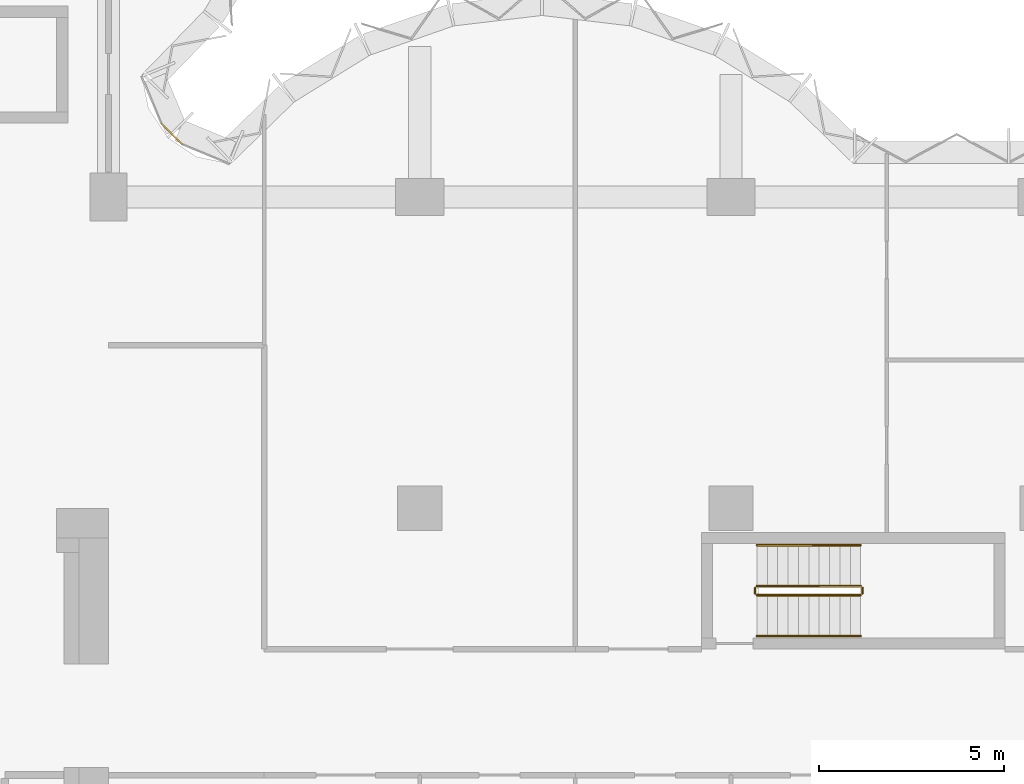
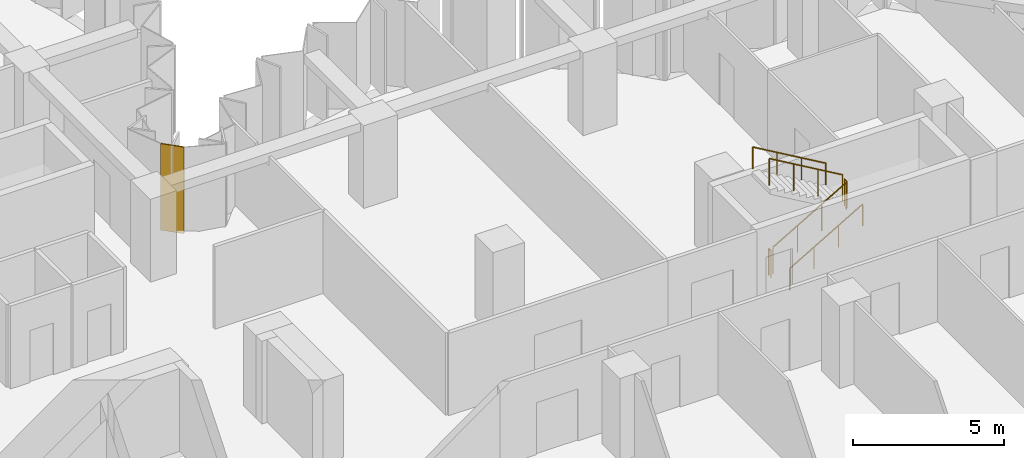
# One storey, part 11 of 11: 6 railings, 1 covering, 1 element without a shape of its own.
"""IFC4 building model written with IfcOpenShell, lengths in metres."""

import ifcopenshell
import ifcopenshell.guid

model = None  # the IFC model being written
_history = None  # IfcOwnerHistory: only IFC2X3 demands one
_inside = {}  # id of a spatial element -> (the spatial element, [elements in it])
_under = {}  # id of a project, library or spatial element -> (it, [spatial elements below it])
_declared = {}  # id of a project -> (the project, [libraries it declares])
_typed = {}  # id of a type object -> (the type object, [elements of that type])
_made_of = {}  # id of a material, layer set ... -> (it, [elements and type objects made of it])


def new_model(schema):
    """Start an empty IFC model of exactly this schema.

    Asked for "IFC4X3", IfcOpenShell would pick the latest addendum, in which some entities
    have other attributes; the version numbers below select the first issue.
    IFC2X3 requires an IfcOwnerHistory on every rooted entity: one is made here for all.
    """
    global model, _history
    if schema == "IFC4X3":
        model = ifcopenshell.file(schema_version=(4, 3, 0, 0))
    else:
        model = ifcopenshell.file(schema=schema)
    _inside.clear()
    _under.clear()
    _declared.clear()
    _typed.clear()
    _made_of.clear()
    _history = None
    if model.schema == "IFC2X3":
        org = make("IfcOrganization", Name="unknown")
        user = make(
            "IfcPersonAndOrganization",
            ThePerson=make("IfcPerson", FamilyName="unknown"),
            TheOrganization=org,
        )
        app = make(
            "IfcApplication",
            ApplicationDeveloper=org,
            Version="unknown",
            ApplicationFullName="unknown",
            ApplicationIdentifier="unknown",
        )
        _history = make(
            "IfcOwnerHistory",
            OwningUser=user,
            OwningApplication=app,
            ChangeAction="ADDED",
            CreationDate=0,
        )
    return model


def make(cls, **values):
    """One entity of the class cls with the attributes given. An attribute that is None is left unset."""
    return model.create_entity(
        cls, **{name: value for name, value in values.items() if value is not None}
    )


def rooted(cls, **values):
    """An entity with a GlobalId (a new one), such as an element, a storey or a relation."""
    return make(cls, GlobalId=ifcopenshell.guid.new(), OwnerHistory=_history, **values)


def si_unit(unit_type, name, prefix=None):
    """IfcSIUnit, for example si_unit("LENGTHUNIT", "METRE", prefix="MILLI")."""
    return make("IfcSIUnit", UnitType=unit_type, Prefix=prefix, Name=name)


def assignment(units):
    """IfcUnitAssignment: the units of a project."""
    return None if units is None else make("IfcUnitAssignment", Units=units)


def point(xyz):
    """IfcCartesianPoint."""
    return None if xyz is None else make("IfcCartesianPoint", Coordinates=xyz)


def direction(xyz):
    """IfcDirection."""
    return None if xyz is None else make("IfcDirection", DirectionRatios=xyz)


def frame(location, z_axis=None, x_axis=None):
    """IfcAxis2Placement3D, a coordinate frame: its origin and axes. An axis left out is left unset."""
    return make(
        "IfcAxis2Placement3D",
        Location=point(location),
        Axis=direction(z_axis),
        RefDirection=direction(x_axis),
    )


def frame_2d(location, x_axis=None):
    """IfcAxis2Placement2D, a coordinate frame in the plane: its origin and x axis."""
    return make(
        "IfcAxis2Placement2D", Location=point(location), RefDirection=direction(x_axis)
    )


def origin():
    """The frame at (0, 0, 0) with its axes left unset."""
    return frame((0.0, 0.0, 0.0))


def origin_2d():
    """The frame at (0, 0) in the plane with its x axis left unset."""
    return frame_2d((0.0, 0.0))


def place(relative_to, where):
    """IfcLocalPlacement: puts the frame where relative to a parent placement (None: the world)."""
    return make(
        "IfcLocalPlacement", PlacementRelTo=relative_to, RelativePlacement=where
    )


def context(
    kind, dimensions, precision=None, world=None, true_north=None, identifier=None
):
    """IfcGeometricRepresentationContext, for example the 3D "Model" context."""
    return make(
        "IfcGeometricRepresentationContext",
        ContextIdentifier=identifier,
        ContextType=kind,
        CoordinateSpaceDimension=dimensions,
        Precision=precision,
        WorldCoordinateSystem=world,
        TrueNorth=true_north,
    )


def subcontext(parent, identifier, kind, view, scale=None):
    """IfcGeometricRepresentationSubContext, for example "Body" below "Model"."""
    return make(
        "IfcGeometricRepresentationSubContext",
        ContextIdentifier=identifier,
        ContextType=kind,
        ParentContext=parent,
        TargetScale=scale,
        TargetView=view,
    )


def project(units=None, contexts=None):
    """IfcProject with its units and contexts."""
    return rooted(
        "IfcProject",
        Name="project",
        RepresentationContexts=contexts,
        UnitsInContext=assignment(units),
    )


def spatial(cls, under=None, at=None, **own):
    """A site, building, storey or space (cls), placed at a placement, below another one or the project."""
    s = rooted(cls, ObjectPlacement=at, **own)
    if under is not None:
        _under.setdefault(under.id(), (under, []))[1].append(s)
    return s


def polyline(points):
    """IfcPolyline through the points."""
    return make("IfcPolyline", Points=[point(p) for p in points])


def profile(cls, at=None, kind="AREA", **sizes):
    """A parametric profile (cls). Its sizes go by their IFC names, for example OverallWidth=200.0."""
    return make(cls, ProfileType=kind, Position=at, **sizes)


def circle(**sizes):
    """IfcCircleProfileDef."""
    return profile("IfcCircleProfileDef", **sizes)


def outline(outer, holes=None, kind="AREA"):
    """IfcArbitraryClosedProfileDef: a profile drawn as a closed curve; with holes, ...WithVoids."""
    if holes is None:
        return make("IfcArbitraryClosedProfileDef", ProfileType=kind, OuterCurve=outer)
    return make(
        "IfcArbitraryProfileDefWithVoids",
        ProfileType=kind,
        OuterCurve=outer,
        InnerCurves=holes,
    )


def extrude(swept, where, along, depth):
    """IfcExtrudedAreaSolid: the profile swept, set in the frame where, extruded along a direction by depth."""
    return make(
        "IfcExtrudedAreaSolid",
        SweptArea=swept,
        Position=where,
        ExtrudedDirection=direction(along),
        Depth=depth,
    )


def shape(context_of_items, identifier, shape_type, items):
    """IfcShapeRepresentation: the items that make up one representation, for example the "Body"."""
    return make(
        "IfcShapeRepresentation",
        ContextOfItems=context_of_items,
        RepresentationIdentifier=identifier,
        RepresentationType=shape_type,
        Items=items,
    )


def material(Name=None, Category=None):
    """IfcMaterial."""
    return make("IfcMaterial", Name=Name, Category=Category)


def layer(
    of_material, thickness, ventilated=None, Name=None, Category=None, Priority=None
):
    """IfcMaterialLayer: one layer of a wall or slab, of a material (None: an air gap)."""
    return make(
        "IfcMaterialLayer",
        Material=of_material,
        LayerThickness=thickness,
        IsVentilated=ventilated,
        Name=Name,
        Category=Category,
        Priority=Priority,
    )


def layer_set(layers, Name=None):
    """IfcMaterialLayerSet."""
    return make("IfcMaterialLayerSet", MaterialLayers=layers, LayerSetName=Name)


def made_of(thing, what):
    """Note that an element or type object is made of a material, layer set ...; save() writes the relation."""
    if what is not None:
        _made_of.setdefault(what.id(), (what, []))[1].append(thing)
    return thing


def type_object(cls, material=None, **own):
    """A type object (cls), such as IfcWallType, which elements share."""
    return made_of(rooted(cls, **own), material)


def element(
    cls,
    number,
    at=None,
    inside=None,
    cuts=None,
    type_object=None,
    material=None,
    context=None,
    identifier="Body",
    shape_type=None,
    held_by="IfcProductDefinitionShape",
    body=None,
    shapes=None,
    **own,
):
    """One element of the class cls, such as IfcWall. Its Tag is "e" and its number.

    at: its placement. inside: the storey or other place that contains it. cuts: it is an
    opening in that element (IfcRelVoidsElement). A single representation is given by context,
    identifier, shape_type and body (its items); several are given by shapes. held_by: the class
    of the entity that holds the representations. save() writes the other relations.
    """
    e = rooted(cls, Tag="e%d" % number, ObjectPlacement=at, **own)
    if body is not None:
        shapes = [shape(context, identifier, shape_type, body)]
    if shapes is not None:
        e.Representation = make(held_by, Representations=shapes)
    if inside is not None:
        _inside.setdefault(inside.id(), (inside, []))[1].append(e)
    if cuts is not None:
        rooted(
            "IfcRelVoidsElement", RelatingBuildingElement=cuts, RelatedOpeningElement=e
        )
    if type_object is not None:
        _typed.setdefault(type_object.id(), (type_object, []))[1].append(e)
    return made_of(e, material)


def aggregate(whole, parts):
    """IfcRelAggregates: a whole, such as a stair, and the parts it consists of."""
    return rooted("IfcRelAggregates", RelatingObject=whole, RelatedObjects=parts)


def save(model, path):
    """Write the relations noted so far, then the file.

    IfcRelAggregates (storeys below a building ...), IfcRelContainedInSpatialStructure (elements
    in a storey), IfcRelDefinesByType, IfcRelAssociatesMaterial and IfcRelDeclares: one each for
    every whole, place, type object, material and project.
    """
    for whole, parts in _under.values():
        aggregate(whole, parts)
    for where, things in _inside.values():
        rooted(
            "IfcRelContainedInSpatialStructure",
            RelatedElements=things,
            RelatingStructure=where,
        )
    for kind, things in _typed.values():
        rooted("IfcRelDefinesByType", RelatedObjects=things, RelatingType=kind)
    for what, things in _made_of.values():
        rooted("IfcRelAssociatesMaterial", RelatedObjects=things, RelatingMaterial=what)
    for by, libraries in _declared.values():
        rooted("IfcRelDeclares", RelatingContext=by, RelatedDefinitions=libraries)
    model.write(path)


model = new_model("IFC4")

# Units and contexts
model_context = context("Model", 3, precision=1e-05, world=origin(), true_north=direction((0.0, 1.0)))
body_context = subcontext(model_context, "Body", "Model", "MODEL_VIEW")
ifc_project = project(units=[si_unit("LENGTHUNIT", "METRE"), si_unit("AREAUNIT", "SQUARE_METRE"), si_unit("VOLUMEUNIT", "CUBIC_METRE"), si_unit("PLANEANGLEUNIT", "RADIAN"), si_unit("MASSUNIT", "GRAM", prefix="KILO")], contexts=[model_context])

# Site, building, storey
site_placement = place(None, origin())
site = spatial("IfcSite", under=ifc_project, at=site_placement, CompositionType="ELEMENT")
building_placement = place(site_placement, origin())
building = spatial("IfcBuilding", under=site, at=building_placement, Name="Brevane Broadcast Tower", CompositionType="ELEMENT")
storey_placement = place(building_placement, frame((0.0, 0.0, 145.699951171875)))
storey = spatial("IfcBuildingStorey", under=building, at=storey_placement, Name="L36", CompositionType="ELEMENT", Elevation=145.699951171875)

# Railings
ifc_material_1 = material(Name="Steel S355", Category="steel")
railing_type_1 = type_object("IfcRailingType", Name="Exit stair guard", PredefinedType="GUARDRAIL", material=ifc_material_1)
railing_1_placement = place(storey_placement, frame((42.699951171875, 14.449951171875, 0.16357421875)))
element("IfcRailing", 1, at=railing_1_placement, inside=storey, type_object=railing_type_1, Name="L36 ST-4 stair guard 1", PredefinedType="GUARDRAIL", context=body_context, shape_type="SweptSolid", body=[
    extrude(circle(Radius=0.02392578125, at=origin_2d()), frame((0.0, 0.0, 1.076171875), z_axis=(0.863360870873, 0.0, 0.504586966384), x_axis=(0.0, 1.0, 0.0)), (0.0, 0.0, 1.0), 3.2431640625),
    extrude(circle(Radius=0.02099609375, at=origin_2d()), origin(), (0.0, 0.0, 1.0), 1.052001953125),
    extrude(circle(Radius=0.02099609375, at=origin_2d()), frame((0.933349609375, 0.0, 0.54541015625)), (0.0, 0.0, 1.0), 1.052001953125),
    extrude(circle(Radius=0.02099609375, at=origin_2d()), frame((1.86669921875, 0.0, 1.091064453125)), (0.0, 0.0, 1.0), 1.052001953125),
    extrude(circle(Radius=0.02099609375, at=origin_2d()), frame((2.800048828125, 0.0, 1.636474609375)), (0.0, 0.0, 1.0), 1.052001953125),
])
railing_2_placement = place(storey_placement, frame((45.550048828125, 14.5, 1.800048828125)))
element("IfcRailing", 2, at=railing_2_placement, inside=storey, type_object=railing_type_1, Name="L36 ST-4 stair guard 2", PredefinedType="GUARDRAIL", context=body_context, shape_type="SweptSolid", body=[
    extrude(circle(Radius=0.02392578125, at=origin_2d()), frame((0.0, 0.0, 1.076171875), z_axis=(0.0, 1.0, 0.0), x_axis=(-1.0, 0.0, 0.0)), (0.0, 0.0, 1.0), 0.14990234375),
    extrude(circle(Radius=0.02099609375, at=origin_2d()), origin(), (0.0, 0.0, 1.0), 1.052001953125),
    extrude(circle(Radius=0.02099609375, at=origin_2d()), frame((0.0, 0.14990234375, 0.0)), (0.0, 0.0, 1.0), 1.052001953125),
])
railing_3_placement = place(storey_placement, frame((45.5, 14.699951171875, 1.963623046875)))
element("IfcRailing", 3, at=railing_3_placement, inside=storey, type_object=railing_type_1, Name="L36 ST-4 stair guard 3", PredefinedType="GUARDRAIL", context=body_context, shape_type="SweptSolid", body=[
    extrude(circle(Radius=0.02392578125, at=origin_2d()), frame((0.0, 0.0, 1.076171875), z_axis=(-0.863360870873, 0.0, 0.504586966384), x_axis=(0.0, -1.0, 0.0)), (0.0, 0.0, 1.0), 3.2431640625),
    extrude(circle(Radius=0.02099609375, at=origin_2d()), origin(), (0.0, 0.0, 1.0), 1.052001953125),
    extrude(circle(Radius=0.02099609375, at=origin_2d()), frame((-0.933349609375, 0.0, 0.54541015625)), (0.0, 0.0, 1.0), 1.052001953125),
    extrude(circle(Radius=0.02099609375, at=origin_2d()), frame((-1.86669921875, 0.0, 1.091064453125)), (0.0, 0.0, 1.0), 1.052001953125),
    extrude(circle(Radius=0.02099609375, at=origin_2d()), frame((-2.800048828125, 0.0, 1.636474609375)), (0.0, 0.0, 1.0), 1.052001953125),
])
railing_4_placement = place(storey_placement, frame((42.64990234375, 14.5, 0.0)))
element("IfcRailing", 4, at=railing_4_placement, inside=storey, type_object=railing_type_1, Name="L36 ST-4 stair guard 4", PredefinedType="GUARDRAIL", context=body_context, shape_type="SweptSolid", body=[
    extrude(circle(Radius=0.02392578125, at=origin_2d()), frame((0.0, 0.0, 1.076171875), z_axis=(0.0, 1.0, 0.0), x_axis=(-1.0, 0.0, 0.0)), (0.0, 0.0, 1.0), 0.14990234375),
    extrude(circle(Radius=0.02099609375, at=origin_2d()), origin(), (0.0, 0.0, 1.0), 1.052001953125),
    extrude(circle(Radius=0.02099609375, at=origin_2d()), frame((0.0, 0.14990234375, 0.0)), (0.0, 0.0, 1.0), 1.052001953125),
])
railing_type_2 = type_object("IfcRailingType", Name="Exit stair handrail", PredefinedType="HANDRAIL", material=ifc_material_1)
railing_5_placement = place(storey_placement, frame((42.699951171875, 13.35009765625, 0.16357421875)))
element("IfcRailing", 5, at=railing_5_placement, inside=storey, type_object=railing_type_2, Name="L36 ST-4 stair handrail 1", PredefinedType="HANDRAIL", context=body_context, shape_type="SweptSolid", body=[
    extrude(circle(Radius=0.02392578125, at=origin_2d()), frame((0.0, 0.0, 0.8759765625), z_axis=(0.863360870873, 0.0, 0.504586966384), x_axis=(0.0, 1.0, 0.0)), (0.0, 0.0, 1.0), 3.2431640625),
    extrude(circle(Radius=0.02099609375, at=origin_2d()), origin(), (0.0, 0.0, 1.0), 0.851806640625),
    extrude(circle(Radius=0.02099609375, at=origin_2d()), frame((0.933349609375, 0.0, 0.54541015625)), (0.0, 0.0, 1.0), 0.851806640625),
    extrude(circle(Radius=0.02099609375, at=origin_2d()), frame((1.86669921875, 0.0, 1.091064453125)), (0.0, 0.0, 1.0), 0.851806640625),
    extrude(circle(Radius=0.02099609375, at=origin_2d()), frame((2.800048828125, 0.0, 1.636474609375)), (0.0, 0.0, 1.0), 0.851806640625),
])
railing_6_placement = place(storey_placement, frame((45.5, 15.800048828125, 1.963623046875)))
element("IfcRailing", 6, at=railing_6_placement, inside=storey, type_object=railing_type_2, Name="L36 ST-4 stair handrail 2", PredefinedType="HANDRAIL", context=body_context, shape_type="SweptSolid", body=[
    extrude(circle(Radius=0.02392578125, at=origin_2d()), frame((0.0, 0.0, 0.8759765625), z_axis=(-0.863360870873, 0.0, 0.504586966384), x_axis=(0.0, -1.0, 0.0)), (0.0, 0.0, 1.0), 3.2431640625),
    extrude(circle(Radius=0.02099609375, at=origin_2d()), origin(), (0.0, 0.0, 1.0), 0.851806640625),
    extrude(circle(Radius=0.02099609375, at=origin_2d()), frame((-0.933349609375, 0.0, 0.54541015625)), (0.0, 0.0, 1.0), 0.851806640625),
    extrude(circle(Radius=0.02099609375, at=origin_2d()), frame((-1.86669921875, 0.0, 1.091064453125)), (0.0, 0.0, 1.0), 0.851806640625),
    extrude(circle(Radius=0.02099609375, at=origin_2d()), frame((-2.800048828125, 0.0, 1.636474609375)), (0.0, 0.0, 1.0), 0.851806640625),
])

# Curtain wall, covering
ifc_material_2 = material(Name="Aluminium 6063-T6 bronze anodised", Category="aluminium")
curtain_wall_type = type_object("IfcCurtainWallType", Name="CW-1 curtain wall", PredefinedType="NOTDEFINED", material=ifc_material_2)
curtain_wall_placement = place(storey_placement, origin())
curtain_wall = element("IfcCurtainWall", 7, at=curtain_wall_placement, inside=storey, type_object=curtain_wall_type, Name="CW-1 typical tilted unit L36 inner corner", PredefinedType="NOTDEFINED")
ifc_material_3 = material(Name="Back-painted bronze glass shadow-box", Category="glass")
ifc_layer = layer(ifc_material_3, 0.0400390625)
ifc_layer_set = layer_set([ifc_layer], Name="Shadow-box panel 40")
covering_type = type_object("IfcCoveringType", Name="Shadow-box panel 40", PredefinedType="CLADDING", material=ifc_layer_set)
covering_placement = place(storey_placement, frame((0.0, 0.0, -0.14990234375)))
covering = element("IfcCovering", 8, at=covering_placement, type_object=covering_type, Name="Closure panel", PredefinedType="CLADDING", context=body_context, shape_type="SweptSolid", body=[
    extrude(outline(polyline([(27.17138671875, 26.60498046875), (27.2021484375, 26.635498046875), (26.635498046875, 27.2021484375), (26.60498046875, 27.17138671875), (27.17138671875, 26.60498046875)])), origin(), (0.0, 0.0, 1.0), 3.5),
])
aggregate(curtain_wall, [covering])

save(model, "model.ifc")
